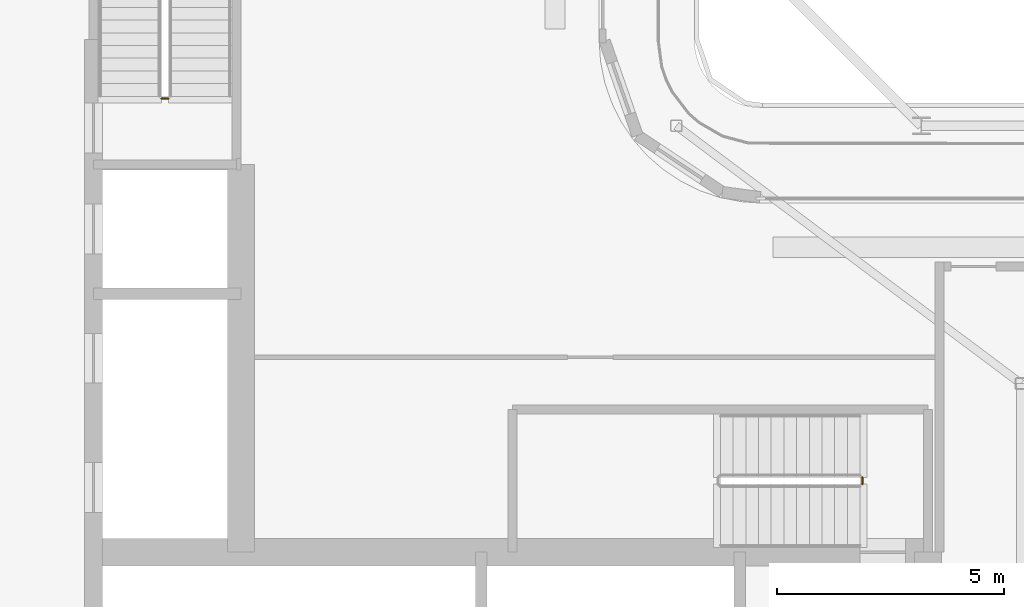
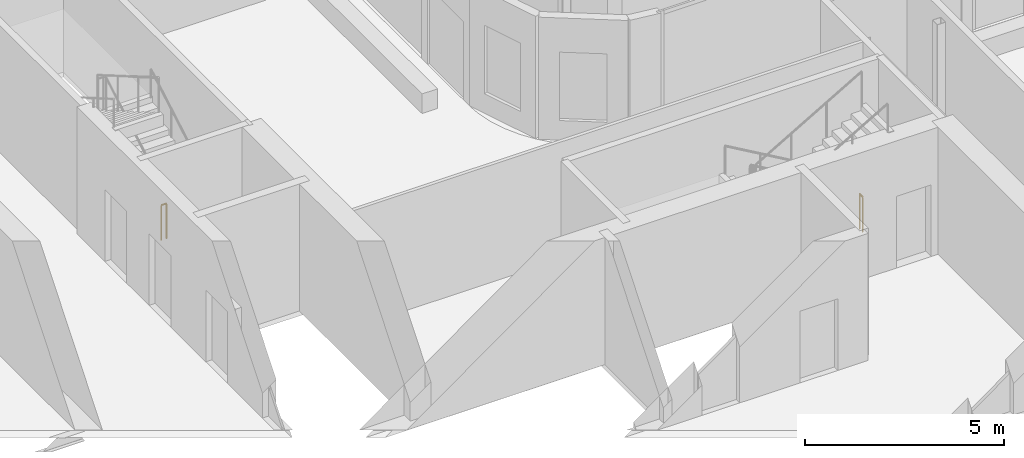
# One storey, part 17 of 21: 2 railings.
"""IFC4 building model written with IfcOpenShell, lengths in metres."""

from ifc_helpers import new_model, si_unit, direction, frame, origin, origin_2d, place, context, subcontext, project, spatial, circle, extrude, material, type_object, element, save


model = new_model("IFC4")

# Units and contexts
model_context = context("Model", 3, precision=1e-05, world=origin(), true_north=direction((0.0, 1.0)))
body_context = subcontext(model_context, "Body", "Model", "MODEL_VIEW")
ifc_project = project(units=[si_unit("LENGTHUNIT", "METRE"), si_unit("AREAUNIT", "SQUARE_METRE"), si_unit("VOLUMEUNIT", "CUBIC_METRE"), si_unit("PLANEANGLEUNIT", "RADIAN"), si_unit("MASSUNIT", "GRAM", prefix="KILO")], contexts=[model_context])

# Site, building, storey
site_placement = place(None, origin())
site = spatial("IfcSite", under=ifc_project, at=site_placement, CompositionType="ELEMENT")
building_placement = place(site_placement, origin())
building = spatial("IfcBuilding", under=site, at=building_placement, Name="Kheshtan School and Residences Tower", CompositionType="ELEMENT")
storey_placement = place(building_placement, frame((0.0, 0.0, 290.300048828125)))
storey = spatial("IfcBuildingStorey", under=building, at=storey_placement, Name="L68", CompositionType="ELEMENT", Elevation=290.300048828125)

# Railings
ifc_material = material(Name="Stainless steel balustrade", Category="steel")
railing_type = type_object("IfcRailingType", Name="Stair guard 1100", PredefinedType="GUARDRAIL", material=ifc_material)
railing_1_placement = place(storey_placement, frame((51.699951171875, 37.85009765625, 0.0)))
element("IfcRailing", 1, at=railing_1_placement, inside=storey, type_object=railing_type, Name="L68 ST1 stair guard 2", PredefinedType="GUARDRAIL", context=body_context, shape_type="SweptSolid", body=[
    extrude(circle(Radius=0.02392578125, at=origin_2d()), frame((0.0, 0.0, 1.076171875), z_axis=(0.0, -1.0, 0.0), x_axis=(1.0, 0.0, 0.0)), (0.0, 0.0, 1.0), 0.150146484375),
    extrude(circle(Radius=0.02099609375, at=origin_2d()), origin(), (0.0, 0.0, 1.0), 1.052001953125),
    extrude(circle(Radius=0.02099609375, at=origin_2d()), frame((0.0, -0.150146484375, 0.0)), (0.0, 0.0, 1.0), 1.052001953125),
])
railing_2_placement = place(storey_placement, frame((36.39990234375, 46.199951171875, 0.0)))
element("IfcRailing", 2, at=railing_2_placement, inside=storey, type_object=railing_type, Name="L68 ST2 stair guard 2", PredefinedType="GUARDRAIL", context=body_context, shape_type="SweptSolid", body=[
    extrude(circle(Radius=0.02392578125, at=origin_2d()), frame((0.0, 0.0, 1.076171875), z_axis=(-1.0, 0.0, 0.0), x_axis=(0.0, -1.0, 0.0)), (0.0, 0.0, 1.0), 0.14990234375),
    extrude(circle(Radius=0.02099609375, at=origin_2d()), origin(), (0.0, 0.0, 1.0), 1.052001953125),
    extrude(circle(Radius=0.02099609375, at=origin_2d()), frame((-0.14990234375, 0.0, 0.0)), (0.0, 0.0, 1.0), 1.052001953125),
])

save(model, "model.ifc")
